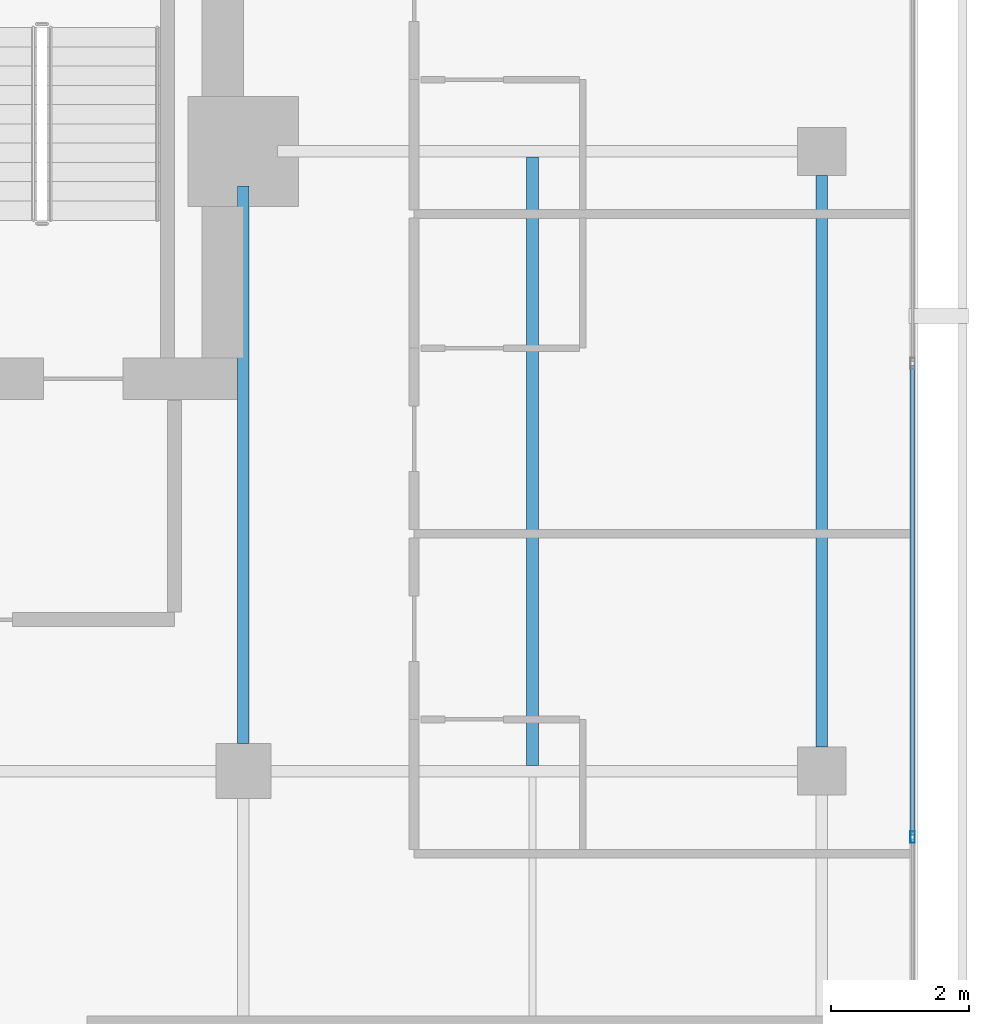
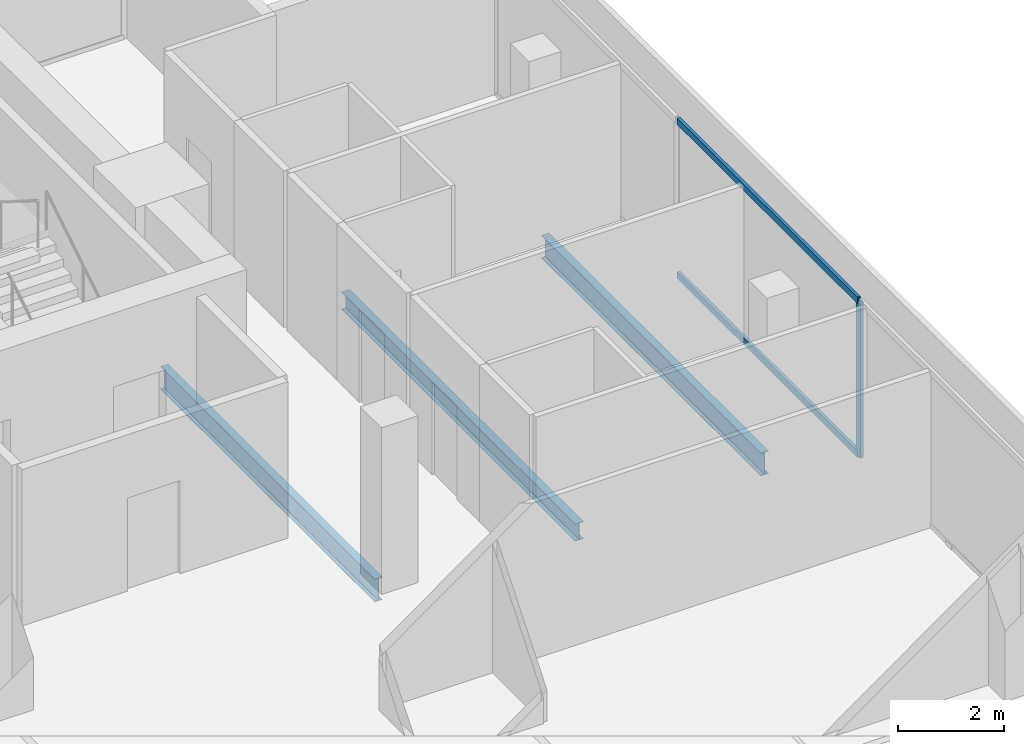
# One storey, part 15 of 26: 3 beams, 3 members, 1 element without a shape of its own.
"""IFC4 building model written with IfcOpenShell, lengths in metres."""

from ifc_helpers import new_model, si_unit, direction, frame, origin, origin_2d, place, context, subcontext, project, spatial, hollow_rectangle, i_section, extrude, material, layer, layer_set, material_profile, profile_set, type_object, element, aggregate, save


model = new_model("IFC4")

# Units and contexts
model_context = context("Model", 3, precision=1e-05, world=origin(), true_north=direction((0.0, 1.0)))
body_context = subcontext(model_context, "Body", "Model", "MODEL_VIEW")
ifc_project = project(units=[si_unit("LENGTHUNIT", "METRE"), si_unit("AREAUNIT", "SQUARE_METRE"), si_unit("VOLUMEUNIT", "CUBIC_METRE"), si_unit("PLANEANGLEUNIT", "RADIAN"), si_unit("MASSUNIT", "GRAM", prefix="KILO")], contexts=[model_context])

# Site, building, storey
site_placement = place(None, origin())
site = spatial("IfcSite", under=ifc_project, at=site_placement, CompositionType="ELEMENT")
building_placement = place(site_placement, origin())
building = spatial("IfcBuilding", under=site, at=building_placement, Name="Maruvema Waterfront Hotel and Observation Tower", CompositionType="ELEMENT")
storey_placement = place(building_placement, frame((0.0, 0.0, 289.449951171875)))
storey = spatial("IfcBuildingStorey", under=building, at=storey_placement, Name="L71", CompositionType="ELEMENT", Elevation=289.449951171875)

# Curtain wall, members
ifc_material_1 = material(Name="Anodised bronze aluminium and solar-control low-E IGU", Category="aluminium")
ifc_layer = layer(ifc_material_1, 0.159912109375, Name="Zone 3 Champagne Inner Thermal Curtain Wall System CW-04")
ifc_layer_set = layer_set([ifc_layer], Name="Anodised bronze aluminium and solar-control low-E IGU")
curtain_wall_type = type_object("IfcCurtainWallType", Name="Zone 3 Champagne Inner Thermal Curtain Wall System CW-04", PredefinedType="USERDEFINED", material=ifc_layer_set)
curtain_wall_placement = place(storey_placement, origin())
curtain_wall = element("IfcCurtainWall", 1, at=curtain_wall_placement, inside=storey, type_object=curtain_wall_type, Name="L71 Curtain Wall CW-L71-E", ObjectType="UNITISED CURTAIN WALL", PredefinedType="USERDEFINED")
ifc_material_2 = material(Name="Anodised architectural bronze aluminium", Category="aluminium")
ifc_material_profile_1 = material_profile(ifc_material_2, hollow_rectangle(XDim=0.070068359375, YDim=0.14990234375, WallThickness=0.00390625, at=origin_2d()), Name="ALU-T70x150")
ifc_profile_set_1 = profile_set([ifc_material_profile_1], Name="Anodised architectural bronze aluminium")
member_type_1 = type_object("IfcMemberType", Name="Curtain Wall Horizontal Transom ALU-T70x150", PredefinedType="USERDEFINED", material=ifc_profile_set_1)
member_1_placement = place(storey_placement, frame((60.1201171875, 35.070068359375, 0.030029296875), z_axis=(0.0, 1.0, 0.0), x_axis=(-1.0, 0.0, 0.0)))
member_1 = element("IfcMember", 2, at=member_1_placement, type_object=member_type_1, Name="CW-04 transom 4.1", ObjectType="TRANSOM", PredefinedType="USERDEFINED", context=body_context, shape_type="SweptSolid", body=[
    extrude(hollow_rectangle(XDim=0.070068359375, YDim=0.14990234375, WallThickness=0.00390625, at=origin_2d()), origin(), (0.0, 0.0, 1.0), 6.81982421875),
])
member_2_placement = place(storey_placement, frame((60.1201171875, 35.070068359375, 3.580078125), z_axis=(0.0, 1.0, 0.0), x_axis=(-1.0, 0.0, 0.0)))
member_2 = element("IfcMember", 3, at=member_2_placement, type_object=member_type_1, Name="CW-04 transom 4.2", ObjectType="TRANSOM", PredefinedType="USERDEFINED", context=body_context, shape_type="SweptSolid", body=[
    extrude(hollow_rectangle(XDim=0.070068359375, YDim=0.14990234375, WallThickness=0.00390625, at=origin_2d()), origin(), (0.0, 0.0, 1.0), 6.81982421875),
])
ifc_material_3 = material(Name="Anodised architectural bronze aluminium", Category="aluminium")
ifc_material_profile_2 = material_profile(ifc_material_3, hollow_rectangle(XDim=0.06494140625, YDim=0.1650390625, WallThickness=0.00390625, at=origin_2d()), Name="ALU-M65x165")
ifc_profile_set_2 = profile_set([ifc_material_profile_2], Name="Anodised architectural bronze aluminium")
member_type_2 = type_object("IfcMemberType", Name="Curtain Wall Primary Mullion ALU-M65x165", PredefinedType="MULLION", material=ifc_profile_set_2)
member_3_placement = place(storey_placement, frame((60.1201171875, 35.0400390625, 0.0), z_axis=(0.0, 0.0, 1.0), x_axis=(-1.0, 0.0, 0.0)))
member_3 = element("IfcMember", 4, at=member_3_placement, type_object=member_type_2, Name="CW-04 mullion 4", PredefinedType="MULLION", context=body_context, shape_type="SweptSolid", body=[
    extrude(hollow_rectangle(XDim=0.06494140625, YDim=0.1650390625, WallThickness=0.00390625, at=origin_2d()), origin(), (0.0, 0.0, 1.0), 3.610107421875),
])
aggregate(curtain_wall, [member_3, member_1, member_2])

# Beams
ifc_material_4 = material(Name="Steel ASTM A572 Grade 50", Category="steel")
ifc_material_profile_3 = material_profile(ifc_material_4, i_section(OverallWidth=0.166015625, OverallDepth=0.529052734375, WebThickness=0.009765625, FlangeThickness=0.013671875, FilletRadius=0.014892578125, at=origin_2d()), Name="W530x74.0")
ifc_profile_set_3 = profile_set([ifc_material_profile_3], Name="Steel ASTM A572 Grade 50")
beam_type_1 = type_object("IfcBeamType", Name="Primary Floor Girder W530x74.0", PredefinedType="BEAM", material=ifc_profile_set_3)
beam_1_placement = place(storey_placement, frame((50.39990234375, 36.39990234375, -0.50439453125), z_axis=(0.0, 1.0, 0.0), x_axis=(-1.0, 0.0, 0.0)))
element("IfcBeam", 5, at=beam_1_placement, inside=storey, type_object=beam_type_1, Name="L71 Floor Girder NS-15", PredefinedType="BEAM", context=body_context, shape_type="SweptSolid", body=[
    extrude(i_section(OverallWidth=0.166015625, OverallDepth=0.529052734375, WebThickness=0.009765625, FlangeThickness=0.013671875, FilletRadius=0.014892578125, at=origin_2d()), origin(), (0.0, 0.0, 1.0), 8.10009765625),
])
beam_2_placement = place(storey_placement, frame((58.800048828125, 36.35009765625, -0.50439453125), z_axis=(0.0, 1.0, 0.0), x_axis=(-1.0, 0.0, 0.0)))
element("IfcBeam", 6, at=beam_2_placement, inside=storey, type_object=beam_type_1, Name="L71 Floor Girder NS-18", PredefinedType="BEAM", context=body_context, shape_type="SweptSolid", body=[
    extrude(i_section(OverallWidth=0.166015625, OverallDepth=0.529052734375, WebThickness=0.009765625, FlangeThickness=0.013671875, FilletRadius=0.014892578125, at=origin_2d()), origin(), (0.0, 0.0, 1.0), 8.2998046875),
])
ifc_material_5 = material(Name="Steel ASTM A572 Grade 50", Category="steel")
ifc_material_profile_4 = material_profile(ifc_material_5, i_section(OverallWidth=0.177001953125, OverallDepth=0.403076171875, WebThickness=0.007568359375, FlangeThickness=0.010986328125, FilletRadius=0.014892578125, at=origin_2d()), Name="W410x53.0")
ifc_profile_set_4 = profile_set([ifc_material_profile_4], Name="Steel ASTM A572 Grade 50")
beam_type_2 = type_object("IfcBeamType", Name="Secondary Floor Joist W410x53.0", PredefinedType="JOIST", material=ifc_profile_set_4)
beam_3_placement = place(storey_placement, frame((54.60009765625, 36.0830078125, -0.44140625), z_axis=(0.0, 1.0, 0.0), x_axis=(-1.0, 0.0, 0.0)))
element("IfcBeam", 7, at=beam_3_placement, inside=storey, type_object=beam_type_2, Name="L71 Secondary Floor Joist JS-09", PredefinedType="JOIST", context=body_context, shape_type="SweptSolid", body=[
    extrude(i_section(OverallWidth=0.177001953125, OverallDepth=0.403076171875, WebThickness=0.007568359375, FlangeThickness=0.010986328125, FilletRadius=0.014892578125, at=origin_2d()), origin(), (0.0, 0.0, 1.0), 8.833984375),
])

save(model, "model.ifc")
